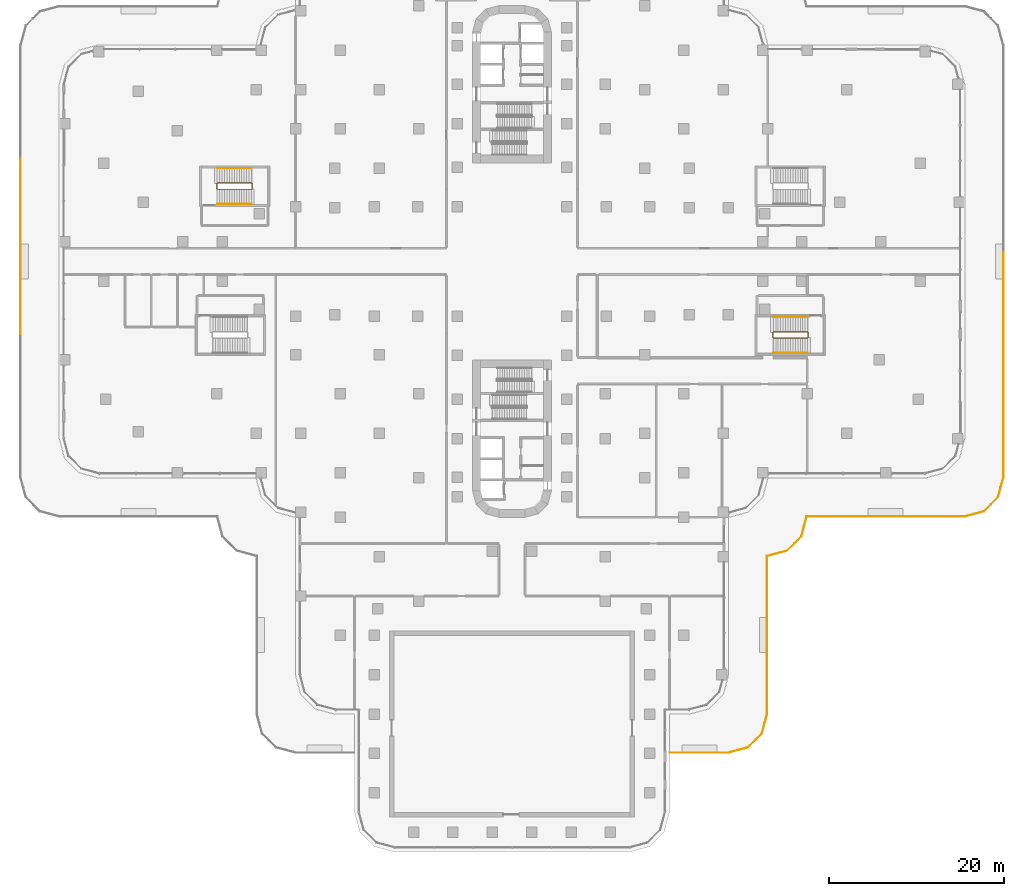
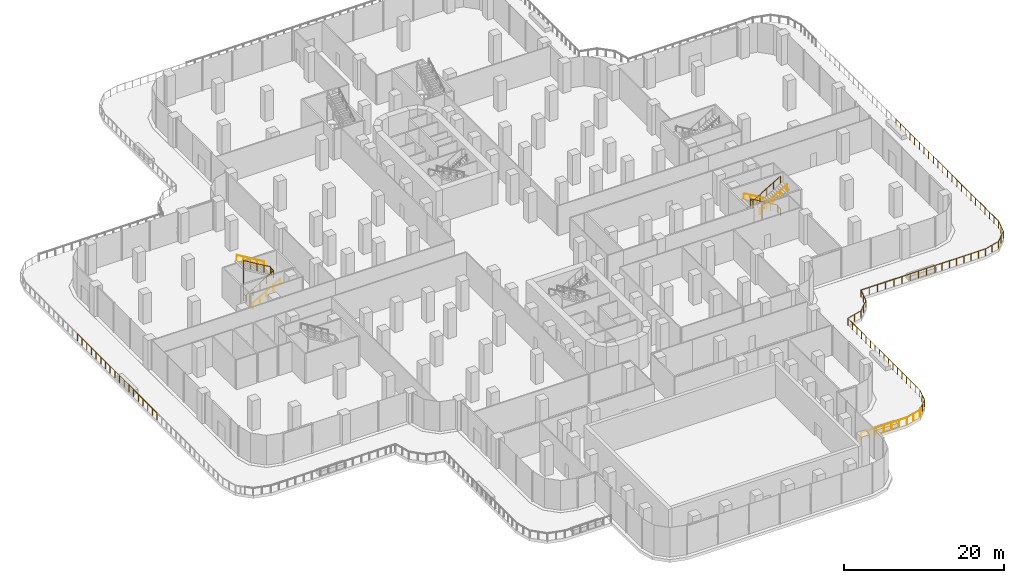
# One storey, part 26 of 30: 12 railings.
"""IFC4 building model written with IfcOpenShell, lengths in metres."""

from ifc_helpers import new_model, si_unit, direction, frame, origin, origin_2d, place, context, subcontext, project, spatial, circle, extrude, material, type_object, element, save


model = new_model("IFC4")

# Units and contexts
model_context = context("Model", 3, precision=1e-05, world=origin(), true_north=direction((0.0, 1.0)))
body_context = subcontext(model_context, "Body", "Model", "MODEL_VIEW")
ifc_project = project(units=[si_unit("LENGTHUNIT", "METRE"), si_unit("AREAUNIT", "SQUARE_METRE"), si_unit("VOLUMEUNIT", "CUBIC_METRE"), si_unit("PLANEANGLEUNIT", "RADIAN"), si_unit("MASSUNIT", "GRAM", prefix="KILO")], contexts=[model_context])

# Site, building, storey
site_placement = place(None, origin())
site = spatial("IfcSite", under=ifc_project, at=site_placement, CompositionType="ELEMENT")
building_placement = place(site_placement, origin())
building = spatial("IfcBuilding", under=site, at=building_placement, Name="Zarbagh Exchange Tower", CompositionType="ELEMENT")
storey_placement = place(building_placement, frame((0.0, 0.0, 7.0)))
storey = spatial("IfcBuildingStorey", under=building, at=storey_placement, Name="L01", CompositionType="ELEMENT", Elevation=7.0)

# Railings
ifc_material_1 = material(Name="Stainless steel", Category="steel")
railing_type_1 = type_object("IfcRailingType", Name="Stair guard 1100 mm", PredefinedType="GUARDRAIL", material=ifc_material_1)
railing_1_placement = place(storey_placement, frame((-29.72998046875, 8.300048828125, 2.5)))
element("IfcRailing", 1, at=railing_1_placement, inside=storey, type_object=railing_type_1, Name="PS5 stair guard 1", PredefinedType="GUARDRAIL", context=body_context, shape_type="SweptSolid", body=[
    extrude(circle(Radius=0.02392578125, at=origin_2d()), frame((0.0, 0.0, 1.076171875), z_axis=(0.0, 1.0, 0.0), x_axis=(-1.0, 0.0, 0.0)), (0.0, 0.0, 1.0), 0.599853515625),
    extrude(circle(Radius=0.02392578125, at=origin_2d()), frame((0.0, 0.599853515625, 1.076171875), z_axis=(-0.27628659633, 0.27628659633, 0.920506074601), x_axis=(-0.707106781187, -0.707106781187, 0.0)), (0.0, 0.0, 1.0), 0.18115234375),
    extrude(circle(Radius=0.02392578125, at=origin_2d()), frame((-0.050048828125, 0.64990234375, 1.24267578125), z_axis=(-0.859296244711, 0.0, 0.511478214419), x_axis=(0.0, -1.0, 0.0)), (0.0, 0.0, 1.0), 4.561767578125),
    extrude(circle(Radius=0.02392578125, at=origin_2d()), frame((-3.969970703125, 0.64990234375, 3.576171875), z_axis=(-0.010008762843, -0.010008762843, -0.999899819648), x_axis=(0.707106781187, -0.707106781187, 0.0)), (0.0, 0.0, 1.0), 5.00048828125),
    extrude(circle(Radius=0.02392578125, at=origin_2d()), frame((-4.02001953125, 0.599853515625, -1.423828125), z_axis=(0.0, -1.0, 0.0), x_axis=(1.0, 0.0, 0.0)), (0.0, 0.0, 1.0), 0.599853515625),
    extrude(circle(Radius=0.02392578125, at=origin_2d()), frame((-4.02001953125, 0.0, -1.423828125), z_axis=(0.27628659633, -0.27628659633, 0.920506074601), x_axis=(0.707106781187, 0.707106781187, 0.0)), (0.0, 0.0, 1.0), 0.18115234375),
    extrude(circle(Radius=0.02392578125, at=origin_2d()), frame((-3.969970703125, -0.050048828125, -1.25732421875), z_axis=(0.859296244711, 0.0, 0.511478214419), x_axis=(0.0, 1.0, 0.0)), (0.0, 0.0, 1.0), 4.561767578125),
    extrude(circle(Radius=0.02099609375, at=origin_2d()), origin(), (0.0, 0.0, 1.0), 1.052001953125),
    extrude(circle(Radius=0.02099609375, at=origin_2d()), frame((0.0, 0.599853515625, 0.0)), (0.0, 0.0, 1.0), 1.052001953125),
    extrude(circle(Radius=0.02099609375, at=origin_2d()), frame((-0.050048828125, 0.64990234375, 0.166748046875)), (0.0, 0.0, 1.0), 1.052001953125),
    extrude(circle(Radius=0.02099609375, at=origin_2d()), frame((-1.030029296875, 0.64990234375, 0.75)), (0.0, 0.0, 1.0), 1.052001953125),
    extrude(circle(Radius=0.02099609375, at=origin_2d()), frame((-2.010009765625, 0.64990234375, 1.33349609375)), (0.0, 0.0, 1.0), 1.052001953125),
    extrude(circle(Radius=0.02099609375, at=origin_2d()), frame((-2.989990234375, 0.64990234375, 1.916748046875)), (0.0, 0.0, 1.0), 1.052001953125),
    extrude(circle(Radius=0.02099609375, at=origin_2d()), frame((-3.969970703125, 0.64990234375, 2.5)), (0.0, 0.0, 1.0), 1.052001953125),
    extrude(circle(Radius=0.02099609375, at=origin_2d()), frame((-3.97998046875, 0.639892578125, 1.5)), (0.0, 0.0, 1.0), 1.052001953125),
    extrude(circle(Radius=0.02099609375, at=origin_2d()), frame((-3.989990234375, 0.6298828125, 0.5)), (0.0, 0.0, 1.0), 1.052001953125),
    extrude(circle(Radius=0.02099609375, at=origin_2d()), frame((-4.0, 0.619873046875, -0.5)), (0.0, 0.0, 1.0), 1.052001953125),
    extrude(circle(Radius=0.02099609375, at=origin_2d()), frame((-4.010009765625, 0.60986328125, -1.5)), (0.0, 0.0, 1.0), 1.052001953125),
    extrude(circle(Radius=0.02099609375, at=origin_2d()), frame((-4.02001953125, 0.599853515625, -2.5)), (0.0, 0.0, 1.0), 1.052001953125),
    extrude(circle(Radius=0.02099609375, at=origin_2d()), frame((-4.02001953125, 0.0, -2.5)), (0.0, 0.0, 1.0), 1.052001953125),
    extrude(circle(Radius=0.02099609375, at=origin_2d()), frame((-3.969970703125, -0.050048828125, -2.333251953125)), (0.0, 0.0, 1.0), 1.052001953125),
    extrude(circle(Radius=0.02099609375, at=origin_2d()), frame((-2.989990234375, -0.050048828125, -1.75)), (0.0, 0.0, 1.0), 1.052001953125),
    extrude(circle(Radius=0.02099609375, at=origin_2d()), frame((-2.010009765625, -0.050048828125, -1.16650390625)), (0.0, 0.0, 1.0), 1.052001953125),
    extrude(circle(Radius=0.02099609375, at=origin_2d()), frame((-1.030029296875, -0.050048828125, -0.583251953125)), (0.0, 0.0, 1.0), 1.052001953125),
    extrude(circle(Radius=0.02099609375, at=origin_2d()), frame((-0.050048828125, -0.050048828125, 0.0)), (0.0, 0.0, 1.0), 1.052001953125),
])
railing_2_placement = place(storey_placement, frame((33.85009765625, -8.699951171875, 0.0)))
element("IfcRailing", 2, at=railing_2_placement, inside=storey, type_object=railing_type_1, Name="PS6 stair guard 1", PredefinedType="GUARDRAIL", context=body_context, shape_type="SweptSolid", body=[
    extrude(circle(Radius=0.02392578125, at=origin_2d()), frame((0.0, 0.0, 1.076171875), z_axis=(0.0, 1.0, 0.0), x_axis=(-1.0, 0.0, 0.0)), (0.0, 0.0, 1.0), 0.599853515625),
    extrude(circle(Radius=0.02392578125, at=origin_2d()), frame((0.0, 0.599853515625, 1.076171875), z_axis=(-0.27628659633, 0.27628659633, 0.920506074601), x_axis=(-0.707106781187, -0.707106781187, 0.0)), (0.0, 0.0, 1.0), 0.18115234375),
    extrude(circle(Radius=0.02392578125, at=origin_2d()), frame((-0.050048828125, 0.64990234375, 1.24267578125), z_axis=(-0.859310244771, 0.0, 0.511454693235), x_axis=(0.0, -1.0, 0.0)), (0.0, 0.0, 1.0), 4.56201171875),
    extrude(circle(Radius=0.02392578125, at=origin_2d()), frame((-3.97021484375, 0.64990234375, 3.576171875), z_axis=(-0.705375805398, -0.708833529934, 0.0), x_axis=(0.708833529934, -0.705375805398, 0.0)), (0.0, 0.0, 1.0), 0.070556640625),
    extrude(circle(Radius=0.02392578125, at=origin_2d()), frame((-4.02001953125, 0.599853515625, 3.576171875), z_axis=(0.0, -1.0, 0.0), x_axis=(1.0, 0.0, 0.0)), (0.0, 0.0, 1.0), 0.599853515625),
    extrude(circle(Radius=0.02392578125, at=origin_2d()), frame((-4.02001953125, 0.0, 3.576171875), z_axis=(0.275041040955, -0.276389281352, 0.920848191041), x_axis=(0.708833529934, 0.705375805398, 0.0)), (0.0, 0.0, 1.0), 0.18115234375),
    extrude(circle(Radius=0.02392578125, at=origin_2d()), frame((-3.97021484375, -0.050048828125, 3.74267578125), z_axis=(0.859310244771, 0.0, 0.511454693235), x_axis=(0.0, 1.0, 0.0)), (0.0, 0.0, 1.0), 4.56201171875),
    extrude(circle(Radius=0.02099609375, at=origin_2d()), origin(), (0.0, 0.0, 1.0), 1.052001953125),
    extrude(circle(Radius=0.02099609375, at=origin_2d()), frame((0.0, 0.599853515625, 0.0)), (0.0, 0.0, 1.0), 1.052001953125),
    extrude(circle(Radius=0.02099609375, at=origin_2d()), frame((-0.050048828125, 0.64990234375, 0.166748046875)), (0.0, 0.0, 1.0), 1.052001953125),
    extrude(circle(Radius=0.02099609375, at=origin_2d()), frame((-1.030029296875, 0.64990234375, 0.75)), (0.0, 0.0, 1.0), 1.052001953125),
    extrude(circle(Radius=0.02099609375, at=origin_2d()), frame((-2.01025390625, 0.64990234375, 1.33349609375)), (0.0, 0.0, 1.0), 1.052001953125),
    extrude(circle(Radius=0.02099609375, at=origin_2d()), frame((-2.990234375, 0.64990234375, 1.916748046875)), (0.0, 0.0, 1.0), 1.052001953125),
    extrude(circle(Radius=0.02099609375, at=origin_2d()), frame((-3.97021484375, 0.64990234375, 2.5)), (0.0, 0.0, 1.0), 1.052001953125),
    extrude(circle(Radius=0.02099609375, at=origin_2d()), frame((-4.02001953125, 0.599853515625, 2.5)), (0.0, 0.0, 1.0), 1.052001953125),
    extrude(circle(Radius=0.02099609375, at=origin_2d()), frame((-4.02001953125, 0.0, 2.5)), (0.0, 0.0, 1.0), 1.052001953125),
    extrude(circle(Radius=0.02099609375, at=origin_2d()), frame((-3.97021484375, -0.050048828125, 2.666748046875)), (0.0, 0.0, 1.0), 1.052001953125),
    extrude(circle(Radius=0.02099609375, at=origin_2d()), frame((-2.990234375, -0.050048828125, 3.25)), (0.0, 0.0, 1.0), 1.052001953125),
    extrude(circle(Radius=0.02099609375, at=origin_2d()), frame((-2.01025390625, -0.050048828125, 3.83349609375)), (0.0, 0.0, 1.0), 1.052001953125),
    extrude(circle(Radius=0.02099609375, at=origin_2d()), frame((-1.030029296875, -0.050048828125, 4.416748046875)), (0.0, 0.0, 1.0), 1.052001953125),
    extrude(circle(Radius=0.02099609375, at=origin_2d()), frame((-0.050048828125, -0.050048828125, 5.0)), (0.0, 0.0, 1.0), 1.052001953125),
])
railing_type_2 = type_object("IfcRailingType", Name="Stair handrail 900 mm", PredefinedType="HANDRAIL", material=ifc_material_1)
railing_3_placement = place(storey_placement, frame((-33.699951171875, 6.550048828125, 0.166748046875)))
element("IfcRailing", 3, at=railing_3_placement, inside=storey, type_object=railing_type_2, Name="PS5 stair handrail 1", PredefinedType="HANDRAIL", context=body_context, shape_type="SweptSolid", body=[
    extrude(circle(Radius=0.02392578125, at=origin_2d()), frame((0.0, 0.0, 0.8759765625), z_axis=(0.859296244711, 0.0, 0.511478214419), x_axis=(0.0, 1.0, 0.0)), (0.0, 0.0, 1.0), 4.561767578125),
    extrude(circle(Radius=0.02099609375, at=origin_2d()), origin(), (0.0, 0.0, 1.0), 0.851806640625),
    extrude(circle(Radius=0.02099609375, at=origin_2d()), frame((0.97998046875, 0.0, 0.583251953125)), (0.0, 0.0, 1.0), 0.851806640625),
    extrude(circle(Radius=0.02099609375, at=origin_2d()), frame((1.9599609375, 0.0, 1.16650390625)), (0.0, 0.0, 1.0), 0.851806640625),
    extrude(circle(Radius=0.02099609375, at=origin_2d()), frame((2.93994140625, 0.0, 1.75)), (0.0, 0.0, 1.0), 0.851806640625),
    extrude(circle(Radius=0.02099609375, at=origin_2d()), frame((3.919921875, 0.0, 2.333251953125)), (0.0, 0.0, 1.0), 0.851806640625),
])
railing_4_placement = place(storey_placement, frame((-29.780029296875, 10.64990234375, 2.666748046875)))
element("IfcRailing", 4, at=railing_4_placement, inside=storey, type_object=railing_type_2, Name="PS5 stair handrail 2", PredefinedType="HANDRAIL", context=body_context, shape_type="SweptSolid", body=[
    extrude(circle(Radius=0.02392578125, at=origin_2d()), frame((0.0, 0.0, 0.8759765625), z_axis=(-0.859296244711, 0.0, 0.511478214419), x_axis=(0.0, -1.0, 0.0)), (0.0, 0.0, 1.0), 4.561767578125),
    extrude(circle(Radius=0.02099609375, at=origin_2d()), origin(), (0.0, 0.0, 1.0), 0.851806640625),
    extrude(circle(Radius=0.02099609375, at=origin_2d()), frame((-0.97998046875, 0.0, 0.583251953125)), (0.0, 0.0, 1.0), 0.851806640625),
    extrude(circle(Radius=0.02099609375, at=origin_2d()), frame((-1.9599609375, 0.0, 1.16650390625)), (0.0, 0.0, 1.0), 0.851806640625),
    extrude(circle(Radius=0.02099609375, at=origin_2d()), frame((-2.93994140625, 0.0, 1.75)), (0.0, 0.0, 1.0), 0.851806640625),
    extrude(circle(Radius=0.02099609375, at=origin_2d()), frame((-3.919921875, 0.0, 2.333251953125)), (0.0, 0.0, 1.0), 0.851806640625),
])
railing_5_placement = place(storey_placement, frame((33.800048828125, -6.35009765625, 0.166748046875)))
element("IfcRailing", 5, at=railing_5_placement, inside=storey, type_object=railing_type_2, Name="PS6 stair handrail 1", PredefinedType="HANDRAIL", context=body_context, shape_type="SweptSolid", body=[
    extrude(circle(Radius=0.02392578125, at=origin_2d()), frame((0.0, 0.0, 0.8759765625), z_axis=(-0.859310244771, 0.0, 0.511454693235), x_axis=(0.0, -1.0, 0.0)), (0.0, 0.0, 1.0), 4.56201171875),
    extrude(circle(Radius=0.02099609375, at=origin_2d()), origin(), (0.0, 0.0, 1.0), 0.851806640625),
    extrude(circle(Radius=0.02099609375, at=origin_2d()), frame((-0.97998046875, 0.0, 0.583251953125)), (0.0, 0.0, 1.0), 0.851806640625),
    extrude(circle(Radius=0.02099609375, at=origin_2d()), frame((-1.9599609375, 0.0, 1.16650390625)), (0.0, 0.0, 1.0), 0.851806640625),
    extrude(circle(Radius=0.02099609375, at=origin_2d()), frame((-2.940185546875, 0.0, 1.75)), (0.0, 0.0, 1.0), 0.851806640625),
    extrude(circle(Radius=0.02099609375, at=origin_2d()), frame((-3.920166015625, 0.0, 2.333251953125)), (0.0, 0.0, 1.0), 0.851806640625),
])
railing_6_placement = place(storey_placement, frame((29.8798828125, -10.449951171875, 2.666748046875)))
element("IfcRailing", 6, at=railing_6_placement, inside=storey, type_object=railing_type_2, Name="PS6 stair handrail 2", PredefinedType="HANDRAIL", context=body_context, shape_type="SweptSolid", body=[
    extrude(circle(Radius=0.02392578125, at=origin_2d()), frame((0.0, 0.0, 0.8759765625), z_axis=(0.859310244771, 0.0, 0.511454693235), x_axis=(0.0, 1.0, 0.0)), (0.0, 0.0, 1.0), 4.56201171875),
    extrude(circle(Radius=0.02099609375, at=origin_2d()), origin(), (0.0, 0.0, 1.0), 0.851806640625),
    extrude(circle(Radius=0.02099609375, at=origin_2d()), frame((0.97998046875, 0.0, 0.583251953125)), (0.0, 0.0, 1.0), 0.851806640625),
    extrude(circle(Radius=0.02099609375, at=origin_2d()), frame((1.9599609375, 0.0, 1.16650390625)), (0.0, 0.0, 1.0), 0.851806640625),
    extrude(circle(Radius=0.02099609375, at=origin_2d()), frame((2.940185546875, 0.0, 1.75)), (0.0, 0.0, 1.0), 0.851806640625),
    extrude(circle(Radius=0.02099609375, at=origin_2d()), frame((3.920166015625, 0.0, 2.333251953125)), (0.0, 0.0, 1.0), 0.851806640625),
])
ifc_material_2 = material(Name="Stainless steel and laminated glass", Category="steel")
railing_type_3 = type_object("IfcRailingType", Name="Terrace guard, glass balustrade 1.1 m", PredefinedType="GUARDRAIL", material=ifc_material_2)
railing_7_placement = place(storey_placement, frame((-56.169921875, -8.288330078125, 0.0)))
element("IfcRailing", 7, at=railing_7_placement, inside=storey, type_object=railing_type_3, Name="TG01 terrace guard", PredefinedType="GUARDRAIL", context=body_context, shape_type="SweptSolid", body=[
    extrude(circle(Radius=0.02490234375, at=origin_2d()), frame((0.0, 0.0, 1.0751953125), z_axis=(0.0, 1.0, 0.0), x_axis=(-1.0, 0.0, 0.0)), (0.0, 0.0, 1.0), 20.0),
    extrude(circle(Radius=0.02490234375, at=origin_2d()), origin(), (0.0, 0.0, 1.0), 1.050048828125),
    extrude(circle(Radius=0.02490234375, at=origin_2d()), frame((0.0, 1.176513671875, 0.0)), (0.0, 0.0, 1.0), 1.050048828125),
    extrude(circle(Radius=0.02490234375, at=origin_2d()), frame((0.0, 2.35302734375, 0.0)), (0.0, 0.0, 1.0), 1.050048828125),
    extrude(circle(Radius=0.02490234375, at=origin_2d()), frame((0.0, 3.529296875, 0.0)), (0.0, 0.0, 1.0), 1.050048828125),
    extrude(circle(Radius=0.02490234375, at=origin_2d()), frame((0.0, 4.705810546875, 0.0)), (0.0, 0.0, 1.0), 1.050048828125),
    extrude(circle(Radius=0.02490234375, at=origin_2d()), frame((0.0, 5.88232421875, 0.0)), (0.0, 0.0, 1.0), 1.050048828125),
    extrude(circle(Radius=0.02490234375, at=origin_2d()), frame((0.0, 7.058837890625, 0.0)), (0.0, 0.0, 1.0), 1.050048828125),
    extrude(circle(Radius=0.02490234375, at=origin_2d()), frame((0.0, 8.2353515625, 0.0)), (0.0, 0.0, 1.0), 1.050048828125),
    extrude(circle(Radius=0.02490234375, at=origin_2d()), frame((0.0, 9.411865234375, 0.0)), (0.0, 0.0, 1.0), 1.050048828125),
    extrude(circle(Radius=0.02490234375, at=origin_2d()), frame((0.0, 10.588134765625, 0.0)), (0.0, 0.0, 1.0), 1.050048828125),
    extrude(circle(Radius=0.02490234375, at=origin_2d()), frame((0.0, 11.7646484375, 0.0)), (0.0, 0.0, 1.0), 1.050048828125),
    extrude(circle(Radius=0.02490234375, at=origin_2d()), frame((0.0, 12.941162109375, 0.0)), (0.0, 0.0, 1.0), 1.050048828125),
    extrude(circle(Radius=0.02490234375, at=origin_2d()), frame((0.0, 14.11767578125, 0.0)), (0.0, 0.0, 1.0), 1.050048828125),
    extrude(circle(Radius=0.02490234375, at=origin_2d()), frame((0.0, 15.294189453125, 0.0)), (0.0, 0.0, 1.0), 1.050048828125),
    extrude(circle(Radius=0.02490234375, at=origin_2d()), frame((0.0, 16.470703125, 0.0)), (0.0, 0.0, 1.0), 1.050048828125),
    extrude(circle(Radius=0.02490234375, at=origin_2d()), frame((0.0, 17.64697265625, 0.0)), (0.0, 0.0, 1.0), 1.050048828125),
    extrude(circle(Radius=0.02490234375, at=origin_2d()), frame((0.0, 18.823486328125, 0.0)), (0.0, 0.0, 1.0), 1.050048828125),
    extrude(circle(Radius=0.02490234375, at=origin_2d()), frame((0.0, 20.0, 0.0)), (0.0, 0.0, 1.0), 1.050048828125),
])
railing_8_placement = place(storey_placement, frame((56.169921875, 1.025146484375, 0.0)))
element("IfcRailing", 8, at=railing_8_placement, inside=storey, type_object=railing_type_3, Name="TG01 terrace guard", PredefinedType="GUARDRAIL", context=body_context, shape_type="SweptSolid", body=[
    extrude(circle(Radius=0.02490234375, at=origin_2d()), frame((0.0, 0.0, 1.0751953125), z_axis=(0.0, -1.0, 0.0), x_axis=(1.0, 0.0, 0.0)), (0.0, 0.0, 1.0), 20.0),
    extrude(circle(Radius=0.02490234375, at=origin_2d()), origin(), (0.0, 0.0, 1.0), 1.050048828125),
    extrude(circle(Radius=0.02490234375, at=origin_2d()), frame((0.0, -1.176513671875, 0.0)), (0.0, 0.0, 1.0), 1.050048828125),
    extrude(circle(Radius=0.02490234375, at=origin_2d()), frame((0.0, -2.35302734375, 0.0)), (0.0, 0.0, 1.0), 1.050048828125),
    extrude(circle(Radius=0.02490234375, at=origin_2d()), frame((0.0, -3.529296875, 0.0)), (0.0, 0.0, 1.0), 1.050048828125),
    extrude(circle(Radius=0.02490234375, at=origin_2d()), frame((0.0, -4.705810546875, 0.0)), (0.0, 0.0, 1.0), 1.050048828125),
    extrude(circle(Radius=0.02490234375, at=origin_2d()), frame((0.0, -5.88232421875, 0.0)), (0.0, 0.0, 1.0), 1.050048828125),
    extrude(circle(Radius=0.02490234375, at=origin_2d()), frame((0.0, -7.058837890625, 0.0)), (0.0, 0.0, 1.0), 1.050048828125),
    extrude(circle(Radius=0.02490234375, at=origin_2d()), frame((0.0, -8.2353515625, 0.0)), (0.0, 0.0, 1.0), 1.050048828125),
    extrude(circle(Radius=0.02490234375, at=origin_2d()), frame((0.0, -9.411865234375, 0.0)), (0.0, 0.0, 1.0), 1.050048828125),
    extrude(circle(Radius=0.02490234375, at=origin_2d()), frame((0.0, -10.588134765625, 0.0)), (0.0, 0.0, 1.0), 1.050048828125),
    extrude(circle(Radius=0.02490234375, at=origin_2d()), frame((0.0, -11.7646484375, 0.0)), (0.0, 0.0, 1.0), 1.050048828125),
    extrude(circle(Radius=0.02490234375, at=origin_2d()), frame((0.0, -12.941162109375, 0.0)), (0.0, 0.0, 1.0), 1.050048828125),
    extrude(circle(Radius=0.02490234375, at=origin_2d()), frame((0.0, -14.11767578125, 0.0)), (0.0, 0.0, 1.0), 1.050048828125),
    extrude(circle(Radius=0.02490234375, at=origin_2d()), frame((0.0, -15.294189453125, 0.0)), (0.0, 0.0, 1.0), 1.050048828125),
    extrude(circle(Radius=0.02490234375, at=origin_2d()), frame((0.0, -16.470703125, 0.0)), (0.0, 0.0, 1.0), 1.050048828125),
    extrude(circle(Radius=0.02490234375, at=origin_2d()), frame((0.0, -17.64697265625, 0.0)), (0.0, 0.0, 1.0), 1.050048828125),
    extrude(circle(Radius=0.02490234375, at=origin_2d()), frame((0.0, -18.823486328125, 0.0)), (0.0, 0.0, 1.0), 1.050048828125),
    extrude(circle(Radius=0.02490234375, at=origin_2d()), frame((0.0, -20.0, 0.0)), (0.0, 0.0, 1.0), 1.050048828125),
])
railing_9_placement = place(storey_placement, frame((56.169921875, -18.974853515625, 0.0)))
element("IfcRailing", 9, at=railing_9_placement, inside=storey, type_object=railing_type_3, Name="TG01 terrace guard", PredefinedType="GUARDRAIL", context=body_context, shape_type="SweptSolid", body=[
    extrude(circle(Radius=0.02490234375, at=origin_2d()), frame((0.0, 0.0, 1.0751953125), z_axis=(0.0, -1.0, 0.0), x_axis=(1.0, 0.0, 0.0)), (0.0, 0.0, 1.0), 5.7646484375),
    extrude(circle(Radius=0.02490234375, at=origin_2d()), frame((0.0, -5.7646484375, 1.0751953125), z_axis=(-0.258780353152, -0.965936192935, 0.0), x_axis=(0.965936192935, -0.258780353152, 0.0)), (0.0, 0.0, 1.0), 2.29736328125),
    extrude(circle(Radius=0.02490234375, at=origin_2d()), frame((-0.594482421875, -7.983642578125, 1.0751953125), z_axis=(-0.707106781187, -0.707106781187, 0.0), x_axis=(0.707106781187, -0.707106781187, 0.0)), (0.0, 0.0, 1.0), 2.28662109375),
    extrude(circle(Radius=0.02490234375, at=origin_2d()), frame((-2.21142578125, -9.6005859375, 1.0751953125), z_axis=(-0.965936192935, -0.258780353152, 0.0), x_axis=(0.258780353152, -0.965936192935, 0.0)), (0.0, 0.0, 1.0), 2.29736328125),
    extrude(circle(Radius=0.02490234375, at=origin_2d()), frame((-4.430419921875, -10.195068359375, 1.0751953125), z_axis=(-1.0, 0.0, 0.0), x_axis=(0.0, -1.0, 0.0)), (0.0, 0.0, 1.0), 7.35400390625),
    extrude(circle(Radius=0.02490234375, at=origin_2d()), origin(), (0.0, 0.0, 1.0), 1.050048828125),
    extrude(circle(Radius=0.02490234375, at=origin_2d()), frame((0.0, -1.15283203125, 0.0)), (0.0, 0.0, 1.0), 1.050048828125),
    extrude(circle(Radius=0.02490234375, at=origin_2d()), frame((0.0, -2.305908203125, 0.0)), (0.0, 0.0, 1.0), 1.050048828125),
    extrude(circle(Radius=0.02490234375, at=origin_2d()), frame((0.0, -3.458740234375, 0.0)), (0.0, 0.0, 1.0), 1.050048828125),
    extrude(circle(Radius=0.02490234375, at=origin_2d()), frame((0.0, -4.61181640625, 0.0)), (0.0, 0.0, 1.0), 1.050048828125),
    extrude(circle(Radius=0.02490234375, at=origin_2d()), frame((0.0, -5.7646484375, 0.0)), (0.0, 0.0, 1.0), 1.050048828125),
    extrude(circle(Radius=0.02490234375, at=origin_2d()), frame((-0.29736328125, -6.8740234375, 0.0)), (0.0, 0.0, 1.0), 1.050048828125),
    extrude(circle(Radius=0.02490234375, at=origin_2d()), frame((-0.594482421875, -7.983642578125, 0.0)), (0.0, 0.0, 1.0), 1.050048828125),
    extrude(circle(Radius=0.02490234375, at=origin_2d()), frame((-1.40283203125, -8.7919921875, 0.0)), (0.0, 0.0, 1.0), 1.050048828125),
    extrude(circle(Radius=0.02490234375, at=origin_2d()), frame((-2.21142578125, -9.6005859375, 0.0)), (0.0, 0.0, 1.0), 1.050048828125),
    extrude(circle(Radius=0.02490234375, at=origin_2d()), frame((-3.32080078125, -9.89794921875, 0.0)), (0.0, 0.0, 1.0), 1.050048828125),
    extrude(circle(Radius=0.02490234375, at=origin_2d()), frame((-4.430419921875, -10.195068359375, 0.0)), (0.0, 0.0, 1.0), 1.050048828125),
    extrude(circle(Radius=0.02490234375, at=origin_2d()), frame((-5.48095703125, -10.195068359375, 0.0)), (0.0, 0.0, 1.0), 1.050048828125),
    extrude(circle(Radius=0.02490234375, at=origin_2d()), frame((-6.531494140625, -10.195068359375, 0.0)), (0.0, 0.0, 1.0), 1.050048828125),
    extrude(circle(Radius=0.02490234375, at=origin_2d()), frame((-7.58203125, -10.195068359375, 0.0)), (0.0, 0.0, 1.0), 1.050048828125),
    extrude(circle(Radius=0.02490234375, at=origin_2d()), frame((-8.6328125, -10.195068359375, 0.0)), (0.0, 0.0, 1.0), 1.050048828125),
    extrude(circle(Radius=0.02490234375, at=origin_2d()), frame((-9.683349609375, -10.195068359375, 0.0)), (0.0, 0.0, 1.0), 1.050048828125),
    extrude(circle(Radius=0.02490234375, at=origin_2d()), frame((-10.73388671875, -10.195068359375, 0.0)), (0.0, 0.0, 1.0), 1.050048828125),
    extrude(circle(Radius=0.02490234375, at=origin_2d()), frame((-11.784423828125, -10.195068359375, 0.0)), (0.0, 0.0, 1.0), 1.050048828125),
])
railing_10_placement = place(storey_placement, frame((44.385498046875, -29.169921875, 0.0)))
element("IfcRailing", 10, at=railing_10_placement, inside=storey, type_object=railing_type_3, Name="TG01 terrace guard", PredefinedType="GUARDRAIL", context=body_context, shape_type="SweptSolid", body=[
    extrude(circle(Radius=0.02490234375, at=origin_2d()), frame((0.0, 0.0, 1.0751953125), z_axis=(-1.0, 0.0, 0.0), x_axis=(0.0, -1.0, 0.0)), (0.0, 0.0, 1.0), 10.69677734375),
    extrude(circle(Radius=0.02490234375, at=origin_2d()), frame((-10.69677734375, 0.0, 1.0751953125), z_axis=(-0.258842529128, -0.965919533457, 0.0), x_axis=(0.965919533457, -0.258842529128, 0.0)), (0.0, 0.0, 1.0), 2.369384765625),
    extrude(circle(Radius=0.02490234375, at=origin_2d()), frame((-11.31005859375, -2.28857421875, 1.0751953125), z_axis=(-0.707106781187, -0.707106781187, 0.0), x_axis=(0.707106781187, -0.707106781187, 0.0)), (0.0, 0.0, 1.0), 2.28662109375),
    extrude(circle(Radius=0.02490234375, at=origin_2d()), frame((-12.927001953125, -3.905517578125, 1.0751953125), z_axis=(-0.965919533457, -0.258842529128, 0.0), x_axis=(0.258842529128, -0.965919533457, 0.0)), (0.0, 0.0, 1.0), 2.369384765625),
    extrude(circle(Radius=0.02490234375, at=origin_2d()), frame((-15.215576171875, -4.518798828125, 1.0751953125), z_axis=(0.0, -1.0, 0.0), x_axis=(1.0, 0.0, 0.0)), (0.0, 0.0, 1.0), 2.27783203125),
    extrude(circle(Radius=0.02490234375, at=origin_2d()), origin(), (0.0, 0.0, 1.0), 1.050048828125),
    extrude(circle(Radius=0.02490234375, at=origin_2d()), frame((-1.1884765625, 0.0, 0.0)), (0.0, 0.0, 1.0), 1.050048828125),
    extrude(circle(Radius=0.02490234375, at=origin_2d()), frame((-2.376953125, 0.0, 0.0)), (0.0, 0.0, 1.0), 1.050048828125),
    extrude(circle(Radius=0.02490234375, at=origin_2d()), frame((-3.565673828125, 0.0, 0.0)), (0.0, 0.0, 1.0), 1.050048828125),
    extrude(circle(Radius=0.02490234375, at=origin_2d()), frame((-4.754150390625, 0.0, 0.0)), (0.0, 0.0, 1.0), 1.050048828125),
    extrude(circle(Radius=0.02490234375, at=origin_2d()), frame((-5.942626953125, 0.0, 0.0)), (0.0, 0.0, 1.0), 1.050048828125),
    extrude(circle(Radius=0.02490234375, at=origin_2d()), frame((-7.131103515625, 0.0, 0.0)), (0.0, 0.0, 1.0), 1.050048828125),
    extrude(circle(Radius=0.02490234375, at=origin_2d()), frame((-8.31982421875, 0.0, 0.0)), (0.0, 0.0, 1.0), 1.050048828125),
    extrude(circle(Radius=0.02490234375, at=origin_2d()), frame((-9.50830078125, 0.0, 0.0)), (0.0, 0.0, 1.0), 1.050048828125),
    extrude(circle(Radius=0.02490234375, at=origin_2d()), frame((-10.69677734375, 0.0, 0.0)), (0.0, 0.0, 1.0), 1.050048828125),
    extrude(circle(Radius=0.02490234375, at=origin_2d()), frame((-11.00341796875, -1.144287109375, 0.0)), (0.0, 0.0, 1.0), 1.050048828125),
    extrude(circle(Radius=0.02490234375, at=origin_2d()), frame((-11.31005859375, -2.28857421875, 0.0)), (0.0, 0.0, 1.0), 1.050048828125),
    extrude(circle(Radius=0.02490234375, at=origin_2d()), frame((-12.11865234375, -3.09716796875, 0.0)), (0.0, 0.0, 1.0), 1.050048828125),
    extrude(circle(Radius=0.02490234375, at=origin_2d()), frame((-12.927001953125, -3.905517578125, 0.0)), (0.0, 0.0, 1.0), 1.050048828125),
    extrude(circle(Radius=0.02490234375, at=origin_2d()), frame((-14.0712890625, -4.212158203125, 0.0)), (0.0, 0.0, 1.0), 1.050048828125),
    extrude(circle(Radius=0.02490234375, at=origin_2d()), frame((-15.215576171875, -4.518798828125, 0.0)), (0.0, 0.0, 1.0), 1.050048828125),
    extrude(circle(Radius=0.02490234375, at=origin_2d()), frame((-15.215576171875, -5.65771484375, 0.0)), (0.0, 0.0, 1.0), 1.050048828125),
    extrude(circle(Radius=0.02490234375, at=origin_2d()), frame((-15.215576171875, -6.796630859375, 0.0)), (0.0, 0.0, 1.0), 1.050048828125),
])
railing_11_placement = place(storey_placement, frame((29.169921875, -35.966552734375, 0.0)))
element("IfcRailing", 11, at=railing_11_placement, inside=storey, type_object=railing_type_3, Name="TG01 terrace guard", PredefinedType="GUARDRAIL", context=body_context, shape_type="SweptSolid", body=[
    extrude(circle(Radius=0.02490234375, at=origin_2d()), frame((0.0, 0.0, 1.0751953125), z_axis=(0.0, -1.0, 0.0), x_axis=(1.0, 0.0, 0.0)), (0.0, 0.0, 1.0), 15.77294921875),
    extrude(circle(Radius=0.02490234375, at=origin_2d()), frame((0.0, -15.77294921875, 1.0751953125), z_axis=(-0.258780353152, -0.965936192935, 0.0), x_axis=(0.965936192935, -0.258780353152, 0.0)), (0.0, 0.0, 1.0), 2.29736328125),
    extrude(circle(Radius=0.02490234375, at=origin_2d()), frame((-0.594482421875, -17.991943359375, 1.0751953125), z_axis=(-0.707043525224, -0.707170031491, 0.0), x_axis=(0.707170031491, -0.707043525224, 0.0)), (0.0, 0.0, 1.0), 1.929931640625),
    extrude(circle(Radius=0.02490234375, at=origin_2d()), origin(), (0.0, 0.0, 1.0), 1.050048828125),
    extrude(circle(Radius=0.02490234375, at=origin_2d()), frame((0.0, -1.126708984375, 0.0)), (0.0, 0.0, 1.0), 1.050048828125),
    extrude(circle(Radius=0.02490234375, at=origin_2d()), frame((0.0, -2.253173828125, 0.0)), (0.0, 0.0, 1.0), 1.050048828125),
    extrude(circle(Radius=0.02490234375, at=origin_2d()), frame((0.0, -3.3798828125, 0.0)), (0.0, 0.0, 1.0), 1.050048828125),
    extrude(circle(Radius=0.02490234375, at=origin_2d()), frame((0.0, -4.506591796875, 0.0)), (0.0, 0.0, 1.0), 1.050048828125),
    extrude(circle(Radius=0.02490234375, at=origin_2d()), frame((0.0, -5.63330078125, 0.0)), (0.0, 0.0, 1.0), 1.050048828125),
    extrude(circle(Radius=0.02490234375, at=origin_2d()), frame((0.0, -6.759765625, 0.0)), (0.0, 0.0, 1.0), 1.050048828125),
    extrude(circle(Radius=0.02490234375, at=origin_2d()), frame((0.0, -7.886474609375, 0.0)), (0.0, 0.0, 1.0), 1.050048828125),
    extrude(circle(Radius=0.02490234375, at=origin_2d()), frame((0.0, -9.01318359375, 0.0)), (0.0, 0.0, 1.0), 1.050048828125),
    extrude(circle(Radius=0.02490234375, at=origin_2d()), frame((0.0, -10.1396484375, 0.0)), (0.0, 0.0, 1.0), 1.050048828125),
    extrude(circle(Radius=0.02490234375, at=origin_2d()), frame((0.0, -11.266357421875, 0.0)), (0.0, 0.0, 1.0), 1.050048828125),
    extrude(circle(Radius=0.02490234375, at=origin_2d()), frame((0.0, -12.39306640625, 0.0)), (0.0, 0.0, 1.0), 1.050048828125),
    extrude(circle(Radius=0.02490234375, at=origin_2d()), frame((0.0, -13.519775390625, 0.0)), (0.0, 0.0, 1.0), 1.050048828125),
    extrude(circle(Radius=0.02490234375, at=origin_2d()), frame((0.0, -14.646240234375, 0.0)), (0.0, 0.0, 1.0), 1.050048828125),
    extrude(circle(Radius=0.02490234375, at=origin_2d()), frame((0.0, -15.77294921875, 0.0)), (0.0, 0.0, 1.0), 1.050048828125),
    extrude(circle(Radius=0.02490234375, at=origin_2d()), frame((-0.29736328125, -16.88232421875, 0.0)), (0.0, 0.0, 1.0), 1.050048828125),
    extrude(circle(Radius=0.02490234375, at=origin_2d()), frame((-0.594482421875, -17.991943359375, 0.0)), (0.0, 0.0, 1.0), 1.050048828125),
    extrude(circle(Radius=0.02490234375, at=origin_2d()), frame((-1.27685546875, -18.67431640625, 0.0)), (0.0, 0.0, 1.0), 1.050048828125),
    extrude(circle(Radius=0.02490234375, at=origin_2d()), frame((-1.958984375, -19.356689453125, 0.0)), (0.0, 0.0, 1.0), 1.050048828125),
])
railing_12_placement = place(storey_placement, frame((27.2109375, -55.3232421875, 0.0)))
element("IfcRailing", 12, at=railing_12_placement, inside=storey, type_object=railing_type_3, Name="TG01 terrace guard", PredefinedType="GUARDRAIL", context=body_context, shape_type="SweptSolid", body=[
    extrude(circle(Radius=0.02490234375, at=origin_2d()), frame((0.0, 0.0, 1.0751953125), z_axis=(-0.707448791662, -0.706764605209, 0.0), x_axis=(0.706764605209, -0.707448791662, 0.0)), (0.0, 0.0, 1.0), 0.35693359375),
    extrude(circle(Radius=0.02490234375, at=origin_2d()), frame((-0.25244140625, -0.252197265625, 1.0751953125), z_axis=(-0.965936192935, -0.258780353152, 0.0), x_axis=(0.258780353152, -0.965936192935, 0.0)), (0.0, 0.0, 1.0), 2.29736328125),
    extrude(circle(Radius=0.02490234375, at=origin_2d()), frame((-2.471435546875, -0.8466796875, 1.0751953125), z_axis=(-1.0, 0.0, 0.0), x_axis=(0.0, -1.0, 0.0)), (0.0, 0.0, 1.0), 6.659423828125),
    extrude(circle(Radius=0.02490234375, at=origin_2d()), origin(), (0.0, 0.0, 1.0), 1.050048828125),
    extrude(circle(Radius=0.02490234375, at=origin_2d()), frame((-0.25244140625, -0.252197265625, 0.0)), (0.0, 0.0, 1.0), 1.050048828125),
    extrude(circle(Radius=0.02490234375, at=origin_2d()), frame((-1.36181640625, -0.54931640625, 0.0)), (0.0, 0.0, 1.0), 1.050048828125),
    extrude(circle(Radius=0.02490234375, at=origin_2d()), frame((-2.471435546875, -0.8466796875, 0.0)), (0.0, 0.0, 1.0), 1.050048828125),
    extrude(circle(Radius=0.02490234375, at=origin_2d()), frame((-3.581298828125, -0.8466796875, 0.0)), (0.0, 0.0, 1.0), 1.050048828125),
    extrude(circle(Radius=0.02490234375, at=origin_2d()), frame((-4.691162109375, -0.8466796875, 0.0)), (0.0, 0.0, 1.0), 1.050048828125),
    extrude(circle(Radius=0.02490234375, at=origin_2d()), frame((-5.80126953125, -0.8466796875, 0.0)), (0.0, 0.0, 1.0), 1.050048828125),
    extrude(circle(Radius=0.02490234375, at=origin_2d()), frame((-6.9111328125, -0.8466796875, 0.0)), (0.0, 0.0, 1.0), 1.050048828125),
    extrude(circle(Radius=0.02490234375, at=origin_2d()), frame((-8.02099609375, -0.8466796875, 0.0)), (0.0, 0.0, 1.0), 1.050048828125),
    extrude(circle(Radius=0.02490234375, at=origin_2d()), frame((-9.130859375, -0.8466796875, 0.0)), (0.0, 0.0, 1.0), 1.050048828125),
])

save(model, "model.ifc")
